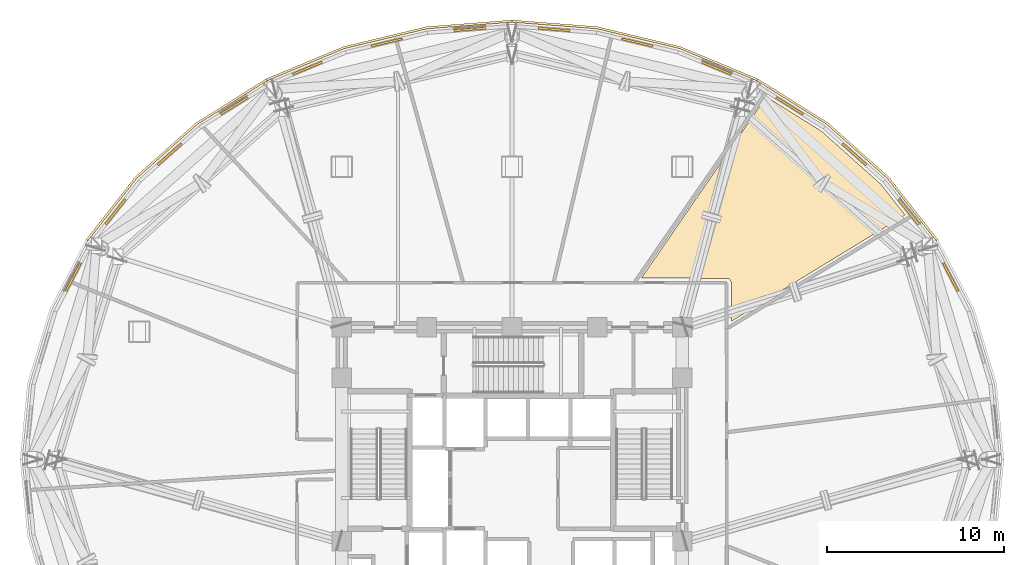
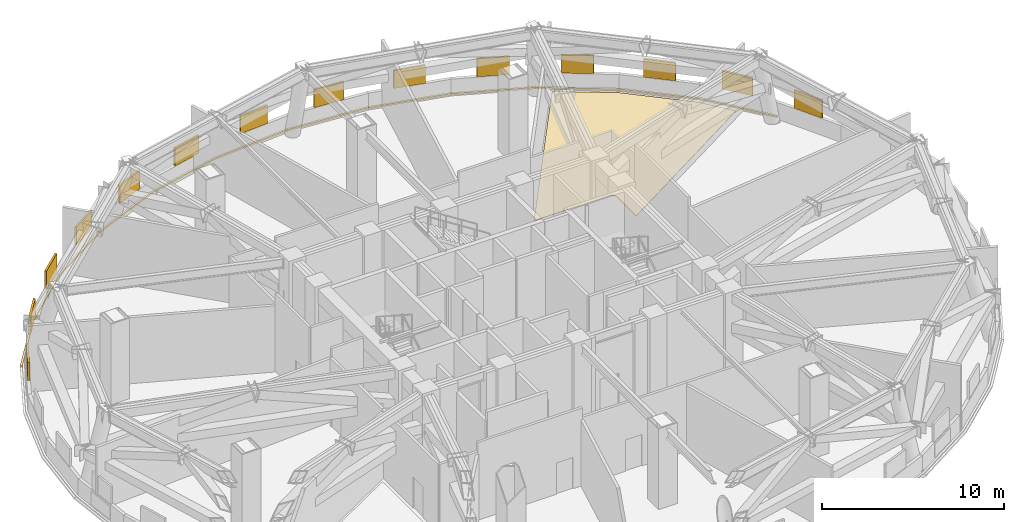
# One storey, part 14 of 14: 14 shading devices, 5 coverings.
"""IFC4 building model written with IfcOpenShell, lengths in metres."""

from ifc_helpers import new_model, si_unit, direction, frame, origin, origin_2d, place, context, subcontext, project, spatial, polyline, rectangle, outline, extrude, material, layer, layer_set, type_object, element, save


model = new_model("IFC4")

# Units and contexts
model_context = context("Model", 3, precision=1e-05, world=origin(), true_north=direction((0.0, 1.0)))
body_context = subcontext(model_context, "Body", "Model", "MODEL_VIEW")
ifc_project = project(units=[si_unit("LENGTHUNIT", "METRE"), si_unit("AREAUNIT", "SQUARE_METRE"), si_unit("VOLUMEUNIT", "CUBIC_METRE"), si_unit("PLANEANGLEUNIT", "RADIAN"), si_unit("MASSUNIT", "GRAM", prefix="KILO")], contexts=[model_context])

# Site, building, storey
site_placement = place(None, origin())
site = spatial("IfcSite", under=ifc_project, at=site_placement, CompositionType="ELEMENT")
building_placement = place(site_placement, origin())
building = spatial("IfcBuilding", under=site, at=building_placement, Name="Vantalir Tower", CompositionType="ELEMENT")
storey_placement = place(building_placement, frame((0.0, 0.0, 90.75)))
storey = spatial("IfcBuildingStorey", under=building, at=storey_placement, Name="L22", CompositionType="ELEMENT", Elevation=90.75)

# Coverings
ifc_material_1 = material(Name="Anodised champagne aluminium sill fascia", Category="aluminium")
ifc_layer_1 = layer(ifc_material_1, 0.125)
ifc_layer_set_1 = layer_set([ifc_layer_1], Name="Anodised champagne aluminium sill fascia")
covering_type_1 = type_object("IfcCoveringType", Name="COV-SLAB-FASCIA-125", PredefinedType="CLADDING", material=ifc_layer_set_1)
covering_1_placement = place(storey_placement, frame((0.0, 0.0, -0.179931640625)))
element("IfcCovering", 1, at=covering_1_placement, inside=storey, type_object=covering_type_1, Name="L22 Perimeter Slab-Edge Sill Fascia 02", PredefinedType="CLADDING", context=body_context, shape_type="SweptSolid", body=[
    extrude(outline(polyline([(55.510986328125, 37.384033203125), (52.739013671875, 40.9208984375), (49.321044921875, 43.972900390625), (45.363037109375, 46.449951171875), (45.300048828125, 46.341064453125), (49.240966796875, 43.8779296875), (52.64306640625, 40.840087890625), (55.402099609375, 37.321044921875), (55.510986328125, 37.384033203125)])), origin(), (0.0, 0.0, 1.0), 0.10498046875),
])
covering_2_placement = place(storey_placement, frame((0.0, 0.0, -0.179931640625)))
element("IfcCovering", 2, at=covering_2_placement, inside=storey, type_object=covering_type_1, Name="L22 Perimeter Slab-Edge Sill Fascia 03", PredefinedType="CLADDING", context=body_context, shape_type="SweptSolid", body=[
    extrude(outline(polyline([(45.363037109375, 46.449951171875), (40.98291015625, 48.27392578125), (36.31396484375, 49.39208984375), (31.5, 49.76806640625), (31.5, 49.64306640625), (36.29296875, 49.26904296875), (40.93994140625, 48.156982421875), (45.300048828125, 46.341064453125), (45.363037109375, 46.449951171875)])), origin(), (0.0, 0.0, 1.0), 0.10498046875),
])
covering_3_placement = place(storey_placement, frame((0.0, 0.0, -0.179931640625)))
element("IfcCovering", 3, at=covering_3_placement, inside=storey, type_object=covering_type_1, Name="L22 Perimeter Slab-Edge Sill Fascia 04", PredefinedType="CLADDING", context=body_context, shape_type="SweptSolid", body=[
    extrude(outline(polyline([(31.5, 49.76806640625), (26.68603515625, 49.39208984375), (22.01708984375, 48.27392578125), (17.637939453125, 46.449951171875), (17.699951171875, 46.341064453125), (22.06005859375, 48.156982421875), (26.70703125, 49.26904296875), (31.5, 49.64306640625), (31.5, 49.76806640625)])), origin(), (0.0, 0.0, 1.0), 0.10498046875),
])
covering_4_placement = place(storey_placement, frame((0.0, 0.0, -0.179931640625)))
element("IfcCovering", 4, at=covering_4_placement, inside=storey, type_object=covering_type_1, Name="L22 Perimeter Slab-Edge Sill Fascia 05", PredefinedType="CLADDING", context=body_context, shape_type="SweptSolid", body=[
    extrude(outline(polyline([(17.637939453125, 46.449951171875), (13.678955078125, 43.972900390625), (10.260986328125, 40.9208984375), (7.489013671875, 37.384033203125), (7.597900390625, 37.321044921875), (10.35693359375, 40.840087890625), (13.759033203125, 43.8779296875), (17.699951171875, 46.341064453125), (17.637939453125, 46.449951171875)])), origin(), (0.0, 0.0, 1.0), 0.10498046875),
])
ifc_material_2 = material(Name="Tropical teak timber and terrazzo floor finish", Category="wood")
ifc_layer_2 = layer(ifc_material_2, 0.02490234375)
ifc_layer_set_2 = layer_set([ifc_layer_2], Name="Tropical teak timber and terrazzo floor finish")
covering_type_2 = type_object("IfcCoveringType", Name="COV-TIMBER-STONE-25", PredefinedType="FLOORING", material=ifc_layer_set_2)
covering_5_placement = place(storey_placement, origin())
element("IfcCovering", 5, at=covering_5_placement, inside=storey, type_object=covering_type_2, Name="L22 Plate Heat Exchanger Plant Room Floor Finish", PredefinedType="FLOORING", context=body_context, shape_type="SweptSolid", body=[
    extrude(outline(polyline([(45.833984375, 45.44091796875), (38.791015625, 35.22412109375), (43.721923828125, 35.2080078125), (43.875, 34.970947265625), (43.875, 32.801025390625), (53.65087890625, 38.777099609375), (52.2919921875, 40.510009765625), (48.951904296875, 43.492919921875), (45.833984375, 45.44091796875)])), origin(), (0.0, 0.0, 1.0), 0.02490234375),
])

# Shading devices
ifc_material_3 = material(Name="Champagne-silver PVDF aluminium storm louvre", Category="aluminium")
ifc_layer_3 = layer(ifc_material_3, 0.1201171875)
ifc_layer_set_3 = layer_set([ifc_layer_3], Name="Champagne-silver PVDF aluminium storm louvre")
shading_device_type = type_object("IfcShadingDeviceType", Name="SHD-STORM-LOUVRE", PredefinedType="JALOUSIE", material=ifc_layer_set_3)
for number, where, z_axis, x_axis, name in (
    (6, (56.219970703125, 35.281982421875, 1.1162109375), (0.0, 0.0, 1.0), (-0.463218697504, 0.886244006063, 0.0), "L22 Acoustic Storm Louvre R03"),
    (7, (53.843017578125, 38.9560546875, 1.1162109375), (0.0, 0.0, 1.0), (-0.617571381834, 0.786514836694, 0.0), "L22 Acoustic Storm Louvre R04"),
    (8, (50.787109375, 42.2041015625, 1.1162109375), (0.0, 0.0, 1.0), (-0.746208439614, 0.665712373814, 0.0), "L22 Acoustic Storm Louvre R05"),
    (9, (47.14501953125, 44.929931640625, 1.1162109375), (0.0, 0.0, 1.0), (-0.848168309194, 0.529726834585, 0.0), "L22 Acoustic Storm Louvre R06"),
    (10, (43.028076171875, 47.050048828125, 1.1162109375), (0.0, 0.0, 1.0), (-0.923310793754, 0.384053613623, 0.0), "L22 Acoustic Storm Louvre R07"),
    (11, (38.56005859375, 48.5009765625, 1.1162109375), (0.0, 0.0, 1.0), (-0.972609793841, 0.23244394792, 0.0), "L22 Acoustic Storm Louvre R08"),
    (12, (33.876953125, 49.238037109375, 1.1162109375), (0.0, 0.0, 1.0), (-0.996969150516, 0.077797897906, 0.0), "L22 Acoustic Storm Louvre R09"),
    (13, (29.123046875, 49.238037109375, 1.1162109375), (0.0, 0.0, 1.0), (-0.996969150516, -0.077797897906, 0.0), "L22 Acoustic Storm Louvre R10"),
    (14, (24.43994140625, 48.5009765625, 1.1162109375), (0.0, 0.0, 1.0), (-0.972609793841, -0.23244394792, 0.0), "L22 Acoustic Storm Louvre R11"),
    (15, (19.971923828125, 47.050048828125, 1.1162109375), (0.0, 0.0, 1.0), (-0.923310793754, -0.384053613623, 0.0), "L22 Acoustic Storm Louvre R12"),
    (16, (15.85498046875, 44.929931640625, 1.1162109375), (0.0, 0.0, 1.0), (-0.848168309194, -0.529726834585, 0.0), "L22 Acoustic Storm Louvre R13"),
    (17, (12.212890625, 42.2041015625, 1.1162109375), (0.0, 0.0, 1.0), (-0.746208439614, -0.665712373814, 0.0), "L22 Acoustic Storm Louvre R14"),
    (18, (9.156982421875, 38.9560546875, 1.1162109375), (0.0, 0.0, 1.0), (-0.617571381834, -0.786514836694, 0.0), "L22 Acoustic Storm Louvre R15"),
    (19, (6.780029296875, 35.281982421875, 1.1162109375), (0.0, 0.0, 1.0), (-0.463218697504, -0.886244006063, 0.0), "L22 Acoustic Storm Louvre R16"),
):
    element("IfcShadingDevice", number, at=place(storey_placement, frame(where, z_axis=z_axis, x_axis=x_axis)), inside=storey, type_object=shading_device_type, Name=name, PredefinedType="JALOUSIE", context=body_context, shape_type="SweptSolid", body=[
        extrude(rectangle(XDim=1.800048828125, YDim=0.1201171875, at=origin_2d()), origin(), (0.0, 0.0, 1.0), 1.199951171875),
    ])

save(model, "model.ifc")
